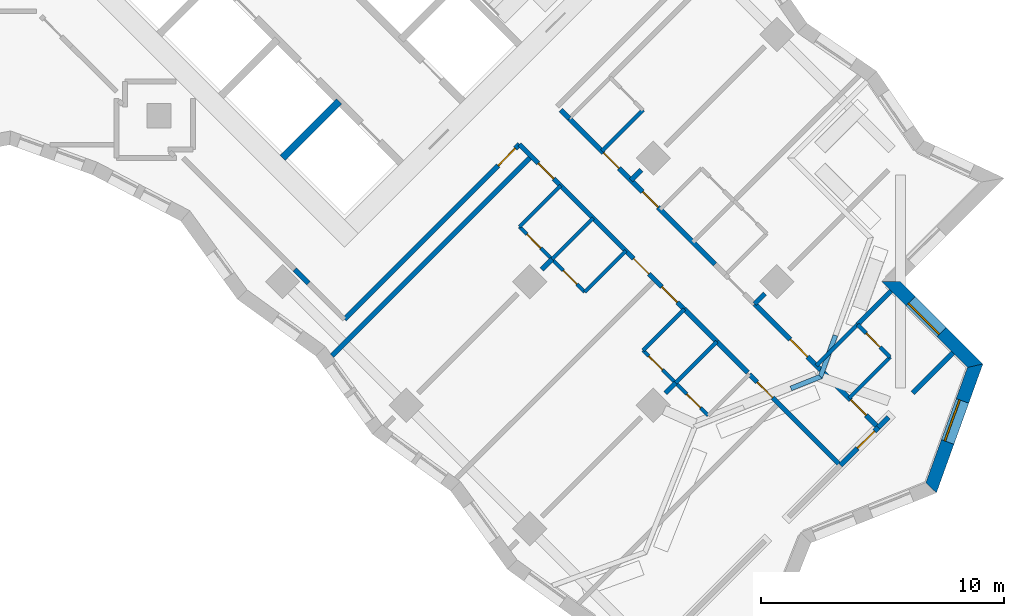
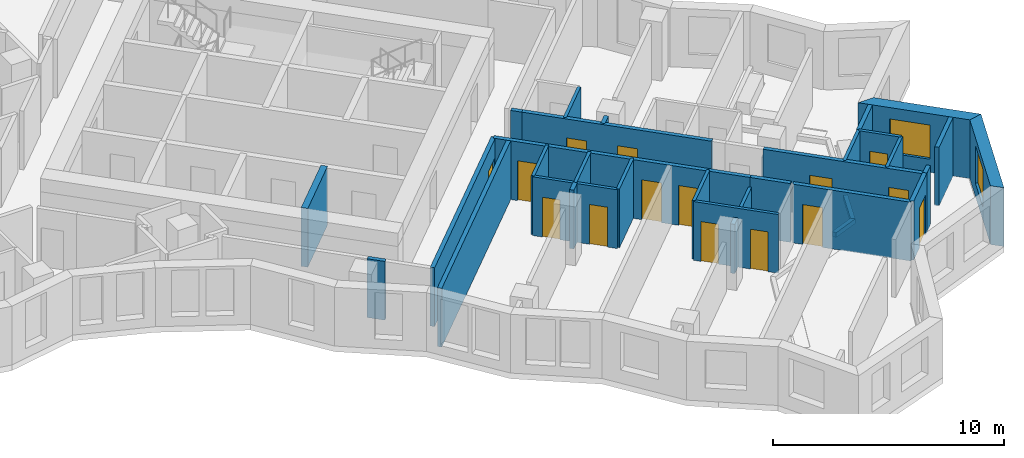
# One storey, part 9 of 14: 34 walls, 15 doors, 2 windows, 17 openings.
"""IFC4 building model written with IfcOpenShell, lengths in metres."""

from ifc_helpers import new_model, si_unit, direction, frame, frame_2d, origin, place, context, subcontext, project, spatial, polyline, rectangle, outline, extrude, material, layer, layer_set, type_object, element, fill, save


model = new_model("IFC4")

# Units and contexts
model_context = context("Model", 3, precision=1e-05, world=origin(), true_north=direction((0.0, 1.0)))
body_context = subcontext(model_context, "Body", "Model", "MODEL_VIEW")
ifc_project = project(units=[si_unit("LENGTHUNIT", "METRE"), si_unit("AREAUNIT", "SQUARE_METRE"), si_unit("VOLUMEUNIT", "CUBIC_METRE"), si_unit("PLANEANGLEUNIT", "RADIAN"), si_unit("MASSUNIT", "GRAM", prefix="KILO")], contexts=[model_context])

# Site, building, storey
site_placement = place(None, origin())
site = spatial("IfcSite", under=ifc_project, at=site_placement, CompositionType="ELEMENT")
building_placement = place(site_placement, origin())
building = spatial("IfcBuilding", under=site, at=building_placement, Name="Windrow Commons", CompositionType="ELEMENT")
storey_placement = place(building_placement, frame((0.0, 0.0, 118.6)))
storey = spatial("IfcBuildingStorey", under=building, at=storey_placement, Name="L32", CompositionType="ELEMENT", Elevation=118.6)

# Wall, opening, window
ifc_material_1 = material(Name="Brick masonry, red clay brick", Category="masonry")
ifc_layer_1 = layer(ifc_material_1, 0.55)
ifc_layer_set_1 = layer_set([ifc_layer_1], Name="Brick facade wall 550")
wall_type_1 = type_object("IfcWallType", Name="Brick facade wall 550", PredefinedType="SOLIDWALL", material=ifc_layer_set_1)
wall_1_placement = place(storey_placement, frame((111.0099, 27.8689, 0.0), z_axis=(0.0, 0.0, 1.0), x_axis=(0.339264672, 0.9406909601, 0.0)))
wall_1 = element("IfcWall", 1, at=wall_1_placement, inside=storey, type_object=wall_type_1, Name="Brick facade wall L32 4", PredefinedType="SOLIDWALL", context=body_context, shape_type="SweptSolid", body=[
    extrude(outline(polyline([(-0.1238, -0.275), (5.5195, -0.275), (5.1702, 0.275), (0.1238, 0.275), (-0.1238, -0.275)])), origin(), (0.0, 0.0, 1.0), 3.1),
])
opening_1_placement = place(wall_1_placement, frame((2.0033, 0.0, 0.7)))
opening_1 = element("IfcOpeningElement", 2, at=opening_1_placement, cuts=wall_1, Name="Opening W1", PredefinedType="OPENING", context=body_context, shape_type="SweptSolid", body=[
    extrude(rectangle(XDim=1.8, YDim=2.0, at=frame_2d((0.9, 1.0))), frame((0.0, 0.285, 0.0), z_axis=(0.0, -1.0, 0.0), x_axis=(1.0, 0.0, 0.0)), (0.0, 0.0, 1.0), 0.57),
])
ifc_material_2 = material(Name="Clear float glass in anodised aluminium frame", Category="aluminium")
window_type_1 = type_object("IfcWindowType", Name="Window W1 bedroom 1800x2000", PartitioningType="SINGLE_PANEL", PredefinedType="WINDOW", material=ifc_material_2)
window_1_placement = place(opening_1_placement, origin())
window_1 = element("IfcWindow", 3, at=window_1_placement, inside=storey, type_object=window_type_1, Name="Window L32 4.1", OverallHeight=2.0, OverallWidth=1.8, PartitioningType="SINGLE_PANEL", PredefinedType="WINDOW", context=body_context, shape_type="SweptSolid", body=[
    extrude(rectangle(XDim=1.8, YDim=2.0, at=frame_2d((0.9, 1.0))), frame((0.0, 0.155, 0.0), z_axis=(0.0, -1.0, 0.0), x_axis=(1.0, 0.0, 0.0)), (0.0, 0.0, 1.0), 0.06),
])
fill(opening_1, window_1)

wall_2_placement = place(storey_placement, frame((112.8232, 32.8967, 0.0), z_axis=(0.0, 0.0, 1.0), x_axis=(-0.7071067812, 0.7071067812, 0.0)))
wall_2 = element("IfcWall", 4, at=wall_2_placement, inside=storey, type_object=wall_type_1, Name="Brick facade wall L32 5", PredefinedType="SOLIDWALL", context=body_context, shape_type="SweptSolid", body=[
    extrude(outline(polyline([(-0.1746, -0.275), (4.6254, -0.275), (5.1754, 0.275), (0.1746, 0.275), (-0.1746, -0.275)])), origin(), (0.0, 0.0, 1.0), 3.1),
])
opening_2_placement = place(wall_2_placement, frame((1.9629, 0.0, 0.7)))
opening_2 = element("IfcOpeningElement", 5, at=opening_2_placement, cuts=wall_2, Name="Opening W1M", PredefinedType="OPENING", context=body_context, shape_type="SweptSolid", body=[
    extrude(rectangle(XDim=1.8, YDim=1.8, at=frame_2d((0.9, 0.9))), frame((0.0, 0.285, 0.0), z_axis=(0.0, -1.0, 0.0), x_axis=(1.0, 0.0, 0.0)), (0.0, 0.0, 1.0), 0.57),
])
ifc_material_3 = material(Name="Clear float glass in anodised aluminium frame", Category="aluminium")
window_type_2 = type_object("IfcWindowType", Name="Window W1M bedroom 1800x1800", PartitioningType="SINGLE_PANEL", PredefinedType="WINDOW", material=ifc_material_3)
window_2_placement = place(opening_2_placement, origin())
window_2 = element("IfcWindow", 6, at=window_2_placement, inside=storey, type_object=window_type_2, Name="Window L32 5.1", OverallHeight=1.8, OverallWidth=1.8, PartitioningType="SINGLE_PANEL", PredefinedType="WINDOW", context=body_context, shape_type="SweptSolid", body=[
    extrude(rectangle(XDim=1.8, YDim=1.8, at=frame_2d((0.9, 0.9))), frame((0.0, 0.155, 0.0), z_axis=(0.0, -1.0, 0.0), x_axis=(1.0, 0.0, 0.0)), (0.0, 0.0, 1.0), 0.06),
])
fill(opening_2, window_2)

# Wall, opening, door
ifc_material_4 = material(Name="Blockwork partition", Category="masonry")
ifc_layer_2 = layer(ifc_material_4, 0.2)
ifc_layer_set_2 = layer_set([ifc_layer_2], Name="IW-CORRIDOR-200")
wall_type_2 = type_object("IfcWallType", Name="IW-CORRIDOR-200", PredefinedType="PARTITIONING", material=ifc_layer_set_2)
wall_3_placement = place(storey_placement, frame((86.8355, 34.8065, 0.0), z_axis=(0.0, 0.0, 1.0), x_axis=(0.7071067812, 0.7071067812, 0.0)))
wall_3 = element("IfcWall", 7, at=wall_3_placement, inside=storey, type_object=wall_type_2, Name="W-L32-W011", PredefinedType="PARTITIONING", context=body_context, shape_type="SweptSolid", body=[
    extrude(rectangle(XDim=10.2007, YDim=0.2, at=frame_2d((5.1003, 0.0))), origin(), (0.0, 0.0, 1.0), 3.1),
])
opening_3_placement = place(wall_3_placement, frame((8.959, 0.0, 0.0)))
opening_3 = element("IfcOpeningElement", 8, at=opening_3_placement, cuts=wall_3, Name="Opening D310F", PredefinedType="OPENING", context=body_context, shape_type="SweptSolid", body=[
    extrude(rectangle(XDim=1.0, YDim=2.1, at=frame_2d((0.5, 1.05))), frame((0.0, 0.11, 0.0), z_axis=(0.0, -1.0, 0.0), x_axis=(1.0, 0.0, 0.0)), (0.0, 0.0, 1.0), 0.22),
])
ifc_material_5 = material(Name="Timber door leaf", Category="wood")
door_type_1 = type_object("IfcDoorType", Name="DT-AMENITY-1000", OperationType="SINGLE_SWING_LEFT", PredefinedType="DOOR", material=ifc_material_5)
door_1_placement = place(opening_3_placement, origin())
door_1 = element("IfcDoor", 9, at=door_1_placement, inside=storey, type_object=door_type_1, Name="D-L32-D056", OperationType="SINGLE_SWING_LEFT", OverallHeight=2.1, OverallWidth=1.0, PredefinedType="DOOR", context=body_context, shape_type="SweptSolid", body=[
    extrude(rectangle(XDim=1.0, YDim=2.1, at=frame_2d((0.5, 1.05))), frame((0.0, 0.025, 0.0), z_axis=(0.0, -1.0, 0.0), x_axis=(1.0, 0.0, 0.0)), (0.0, 0.0, 1.0), 0.05),
])
fill(opening_3, door_1)

# Wall, openings, doors
wall_4_placement = place(storey_placement, frame((94.0467, 42.0147, 0.0), z_axis=(0.0, 0.0, 1.0), x_axis=(0.7071067812, -0.7071067812, 0.0)))
wall_4 = element("IfcWall", 10, at=wall_4_placement, inside=storey, type_object=wall_type_2, Name="W-L32-W012", PredefinedType="PARTITIONING", context=body_context, shape_type="SweptSolid", body=[
    extrude(rectangle(XDim=9.5997, YDim=0.2, at=frame_2d((4.7999, 0.0))), origin(), (0.0, 0.0, 1.0), 3.1),
])
opening_4_placement = place(wall_4_placement, frame((1.099, 0.0, 0.0)))
opening_4 = element("IfcOpeningElement", 11, at=opening_4_placement, cuts=wall_4, Name="Opening D109S", PredefinedType="OPENING", context=body_context, shape_type="SweptSolid", body=[
    extrude(rectangle(XDim=0.9, YDim=2.1, at=frame_2d((0.45, 1.05))), frame((0.0, 0.11, 0.0), z_axis=(0.0, -1.0, 0.0), x_axis=(1.0, 0.0, 0.0)), (0.0, 0.0, 1.0), 0.22),
])
opening_5_placement = place(wall_4_placement, frame((6.649, 0.0, 0.0)))
opening_5 = element("IfcOpeningElement", 12, at=opening_5_placement, cuts=wall_4, Name="Opening D109S", PredefinedType="OPENING", context=body_context, shape_type="SweptSolid", body=[
    extrude(rectangle(XDim=0.9, YDim=2.1, at=frame_2d((0.45, 1.05))), frame((0.0, 0.11, 0.0), z_axis=(0.0, -1.0, 0.0), x_axis=(1.0, 0.0, 0.0)), (0.0, 0.0, 1.0), 0.22),
])
opening_6_placement = place(wall_4_placement, frame((8.3003, 0.0, 0.0)))
opening_6 = element("IfcOpeningElement", 13, at=opening_6_placement, cuts=wall_4, Name="Opening D109S", PredefinedType="OPENING", context=body_context, shape_type="SweptSolid", body=[
    extrude(rectangle(XDim=0.9, YDim=2.1, at=frame_2d((0.45, 1.05))), frame((0.0, 0.11, 0.0), z_axis=(0.0, -1.0, 0.0), x_axis=(1.0, 0.0, 0.0)), (0.0, 0.0, 1.0), 0.22),
])
ifc_material_6 = material(Name="Timber door leaf", Category="wood")
door_type_2 = type_object("IfcDoorType", Name="DT-BEDROOM-900", OperationType="SINGLE_SWING_LEFT", PredefinedType="DOOR", material=ifc_material_6)
door_2_placement = place(opening_4_placement, origin())
door_2 = element("IfcDoor", 14, at=door_2_placement, inside=storey, type_object=door_type_2, Name="D-L32-D057", OperationType="SINGLE_SWING_LEFT", OverallHeight=2.1, OverallWidth=0.9, PredefinedType="DOOR", context=body_context, shape_type="SweptSolid", body=[
    extrude(rectangle(XDim=0.9, YDim=2.1, at=frame_2d((0.45, 1.05))), frame((0.0, 0.025, 0.0), z_axis=(0.0, -1.0, 0.0), x_axis=(1.0, 0.0, 0.0)), (0.0, 0.0, 1.0), 0.05),
])
fill(opening_4, door_2)
door_3_placement = place(opening_5_placement, origin())
door_3 = element("IfcDoor", 15, at=door_3_placement, inside=storey, type_object=door_type_2, Name="D-L32-D059", OperationType="SINGLE_SWING_RIGHT", OverallHeight=2.1, OverallWidth=0.9, PredefinedType="DOOR", context=body_context, shape_type="SweptSolid", body=[
    extrude(rectangle(XDim=0.9, YDim=2.1, at=frame_2d((0.45, 1.05))), frame((0.0, 0.025, 0.0), z_axis=(0.0, -1.0, 0.0), x_axis=(1.0, 0.0, 0.0)), (0.0, 0.0, 1.0), 0.05),
])
fill(opening_5, door_3)
door_4_placement = place(opening_6_placement, origin())
door_4 = element("IfcDoor", 16, at=door_4_placement, inside=storey, type_object=door_type_2, Name="D-L32-D061", OperationType="SINGLE_SWING_LEFT", OverallHeight=2.1, OverallWidth=0.9, PredefinedType="DOOR", context=body_context, shape_type="SweptSolid", body=[
    extrude(rectangle(XDim=0.9, YDim=2.1, at=frame_2d((0.45, 1.05))), frame((0.0, 0.025, 0.0), z_axis=(0.0, -1.0, 0.0), x_axis=(1.0, 0.0, 0.0)), (0.0, 0.0, 1.0), 0.05),
])
fill(opening_6, door_4)

wall_5_placement = place(storey_placement, frame((96.1034, 43.0834, 0.0), z_axis=(0.0, 0.0, 1.0), x_axis=(0.7071067812, -0.7071067812, 0.0)))
wall_5 = element("IfcWall", 17, at=wall_5_placement, inside=storey, type_object=wall_type_2, Name="W-L32-W015", PredefinedType="PARTITIONING", context=body_context, shape_type="SweptSolid", body=[
    extrude(rectangle(XDim=8.4909, YDim=0.2, at=frame_2d((4.2454, 0.0))), origin(), (0.0, 0.0, 1.0), 3.1),
])
opening_7_placement = place(wall_5_placement, frame((1.9952, 0.0, 0.0)))
opening_7 = element("IfcOpeningElement", 18, at=opening_7_placement, cuts=wall_5, Name="Opening D109S", PredefinedType="OPENING", context=body_context, shape_type="SweptSolid", body=[
    extrude(rectangle(XDim=0.9, YDim=2.1, at=frame_2d((0.45, 1.05))), frame((0.0, 0.11, 0.0), z_axis=(0.0, -1.0, 0.0), x_axis=(1.0, 0.0, 0.0)), (0.0, 0.0, 1.0), 0.22),
])
opening_8_placement = place(wall_5_placement, frame((4.2704, 0.0, 0.0)))
opening_8 = element("IfcOpeningElement", 19, at=opening_8_placement, cuts=wall_5, Name="Opening D109S", PredefinedType="OPENING", context=body_context, shape_type="SweptSolid", body=[
    extrude(rectangle(XDim=0.9, YDim=2.1, at=frame_2d((0.45, 1.05))), frame((0.0, 0.11, 0.0), z_axis=(0.0, -1.0, 0.0), x_axis=(1.0, 0.0, 0.0)), (0.0, 0.0, 1.0), 0.22),
])
door_5_placement = place(opening_7_placement, origin())
door_5 = element("IfcDoor", 20, at=door_5_placement, inside=storey, type_object=door_type_2, Name="D-L32-D046", OperationType="SINGLE_SWING_RIGHT", OverallHeight=2.1, OverallWidth=0.9, PredefinedType="DOOR", context=body_context, shape_type="SweptSolid", body=[
    extrude(rectangle(XDim=0.9, YDim=2.1, at=frame_2d((0.45, 1.05))), frame((0.0, 0.025, 0.0), z_axis=(0.0, -1.0, 0.0), x_axis=(1.0, 0.0, 0.0)), (0.0, 0.0, 1.0), 0.05),
])
fill(opening_7, door_5)
door_6_placement = place(opening_8_placement, origin())
door_6 = element("IfcDoor", 21, at=door_6_placement, inside=storey, type_object=door_type_2, Name="D-L32-D054", OperationType="SINGLE_SWING_LEFT", OverallHeight=2.1, OverallWidth=0.9, PredefinedType="DOOR", context=body_context, shape_type="SweptSolid", body=[
    extrude(rectangle(XDim=0.9, YDim=2.1, at=frame_2d((0.45, 1.05))), frame((0.0, 0.025, 0.0), z_axis=(0.0, -1.0, 0.0), x_axis=(1.0, 0.0, 0.0)), (0.0, 0.0, 1.0), 0.05),
])
fill(opening_8, door_6)

wall_6_placement = place(storey_placement, frame((108.8314, 30.3554, 0.0), z_axis=(0.0, 0.0, 1.0), x_axis=(-0.7073012053, 0.7069123036, 0.0)))
wall_6 = element("IfcWall", 22, at=wall_6_placement, inside=storey, type_object=wall_type_2, Name="W-L32-W019", PredefinedType="PARTITIONING", context=body_context, shape_type="SweptSolid", body=[
    extrude(rectangle(XDim=7.1998, YDim=0.2, at=frame_2d((3.5999, 0.0))), origin(), (0.0, 0.0, 1.0), 3.1),
])
opening_9_placement = place(wall_6_placement, frame((4.1247, 0.0, 0.0)))
opening_9 = element("IfcOpeningElement", 23, at=opening_9_placement, cuts=wall_6, Name="Opening D310F", PredefinedType="OPENING", context=body_context, shape_type="SweptSolid", body=[
    extrude(rectangle(XDim=1.0, YDim=2.1, at=frame_2d((0.5, 1.05))), frame((0.0, 0.11, 0.0), z_axis=(0.0, -1.0, 0.0), x_axis=(1.0, 0.0, 0.0)), (0.0, 0.0, 1.0), 0.22),
])
opening_10_placement = place(wall_6_placement, frame((0.7053, 0.0, 0.0)))
opening_10 = element("IfcOpeningElement", 24, at=opening_10_placement, cuts=wall_6, Name="Opening D109S", PredefinedType="OPENING", context=body_context, shape_type="SweptSolid", body=[
    extrude(rectangle(XDim=0.9, YDim=2.1, at=frame_2d((0.45, 1.05))), frame((0.0, 0.11, 0.0), z_axis=(0.0, -1.0, 0.0), x_axis=(1.0, 0.0, 0.0)), (0.0, 0.0, 1.0), 0.22),
])
door_7_placement = place(opening_9_placement, origin())
door_7 = element("IfcDoor", 25, at=door_7_placement, inside=storey, type_object=door_type_1, Name="D-L32-D050", OperationType="SINGLE_SWING_LEFT", OverallHeight=2.1, OverallWidth=1.0, PredefinedType="DOOR", context=body_context, shape_type="SweptSolid", body=[
    extrude(rectangle(XDim=1.0, YDim=2.1, at=frame_2d((0.5, 1.05))), frame((0.0, 0.025, 0.0), z_axis=(0.0, -1.0, 0.0), x_axis=(1.0, 0.0, 0.0)), (0.0, 0.0, 1.0), 0.05),
])
fill(opening_9, door_7)
door_8_placement = place(opening_10_placement, origin())
door_8 = element("IfcDoor", 26, at=door_8_placement, inside=storey, type_object=door_type_2, Name="D-L32-D065", OperationType="SINGLE_SWING_RIGHT", OverallHeight=2.1, OverallWidth=0.9, PredefinedType="DOOR", context=body_context, shape_type="SweptSolid", body=[
    extrude(rectangle(XDim=0.9, YDim=2.1, at=frame_2d((0.45, 1.05))), frame((0.0, 0.025, 0.0), z_axis=(0.0, -1.0, 0.0), x_axis=(1.0, 0.0, 0.0)), (0.0, 0.0, 1.0), 0.05),
])
fill(opening_10, door_8)

# Wall, opening, door
wall_7_placement = place(storey_placement, frame((103.5207, 32.5407, 0.0), z_axis=(0.0, 0.0, 1.0), x_axis=(0.7071067812, -0.7071067812, 0.0)))
wall_7 = element("IfcWall", 27, at=wall_7_placement, inside=storey, type_object=wall_type_2, Name="W-L32-W038", PredefinedType="PARTITIONING", context=body_context, shape_type="SweptSolid", body=[
    extrude(rectangle(XDim=5.3005, YDim=0.2, at=frame_2d((2.6503, 0.0))), origin(), (0.0, 0.0, 1.0), 3.1),
])
opening_11_placement = place(wall_7_placement, frame((0.4507, 0.0, 0.0)))
opening_11 = element("IfcOpeningElement", 28, at=opening_11_placement, cuts=wall_7, Name="Opening D109S", PredefinedType="OPENING", context=body_context, shape_type="SweptSolid", body=[
    extrude(rectangle(XDim=0.9, YDim=2.1, at=frame_2d((0.45, 1.05))), frame((0.0, 0.11, 0.0), z_axis=(0.0, -1.0, 0.0), x_axis=(1.0, 0.0, 0.0)), (0.0, 0.0, 1.0), 0.22),
])
door_9_placement = place(opening_11_placement, origin())
door_9 = element("IfcDoor", 29, at=door_9_placement, inside=storey, type_object=door_type_2, Name="D-L32-D063", OperationType="SINGLE_SWING_RIGHT", OverallHeight=2.1, OverallWidth=0.9, PredefinedType="DOOR", context=body_context, shape_type="SweptSolid", body=[
    extrude(rectangle(XDim=0.9, YDim=2.1, at=frame_2d((0.45, 1.05))), frame((0.0, 0.025, 0.0), z_axis=(0.0, -1.0, 0.0), x_axis=(1.0, 0.0, 0.0)), (0.0, 0.0, 1.0), 0.05),
])
fill(opening_11, door_9)

wall_8_placement = place(storey_placement, frame((107.2714, 28.7966, 0.0), z_axis=(0.0, 0.0, 1.0), x_axis=(0.7071067812, 0.7071067812, 0.0)))
wall_8 = element("IfcWall", 30, at=wall_8_placement, inside=storey, type_object=wall_type_2, Name="W-L32-W128", PredefinedType="PARTITIONING", context=body_context, shape_type="SweptSolid", body=[
    extrude(rectangle(XDim=2.2005, YDim=0.2, at=frame_2d((1.1002, 0.0))), origin(), (0.0, 0.0, 1.0), 3.1),
])
opening_12_placement = place(wall_8_placement, frame((0.9866, 0.0, 0.0)))
opening_12 = element("IfcOpeningElement", 31, at=opening_12_placement, cuts=wall_8, Name="Opening D310F", PredefinedType="OPENING", context=body_context, shape_type="SweptSolid", body=[
    extrude(rectangle(XDim=1.0, YDim=2.1, at=frame_2d((0.5, 1.05))), frame((0.0, 0.11, 0.0), z_axis=(0.0, -1.0, 0.0), x_axis=(1.0, 0.0, 0.0)), (0.0, 0.0, 1.0), 0.22),
])
door_10_placement = place(opening_12_placement, origin())
door_10 = element("IfcDoor", 32, at=door_10_placement, inside=storey, type_object=door_type_1, Name="D-L32-D067", OperationType="SINGLE_SWING_RIGHT", OverallHeight=2.1, OverallWidth=1.0, PredefinedType="DOOR", context=body_context, shape_type="SweptSolid", body=[
    extrude(rectangle(XDim=1.0, YDim=2.1, at=frame_2d((0.5, 1.05))), frame((0.0, 0.025, 0.0), z_axis=(0.0, -1.0, 0.0), x_axis=(1.0, 0.0, 0.0)), (0.0, 0.0, 1.0), 0.05),
])
fill(opening_12, door_10)

# Walls
wall_9_placement = place(storey_placement, frame((100.8386, 35.2306, 0.0), z_axis=(0.0, 0.0, 1.0), x_axis=(0.7065800724, -0.7076330979, 0.0)))
element("IfcWall", 33, at=wall_9_placement, inside=storey, type_object=wall_type_2, Name="W-L32-W151", PredefinedType="PARTITIONING", context=body_context, shape_type="SweptSolid", body=[
    extrude(rectangle(XDim=1.8993, YDim=0.2, at=frame_2d((0.9496, 0.0))), origin(), (0.0, 0.0, 1.0), 3.1),
])
wall_10_placement = place(storey_placement, frame((102.1834, 33.8894, 0.0), z_axis=(0.0, 0.0, 1.0), x_axis=(0.7076620277, -0.7065510983, 0.0)))
element("IfcWall", 34, at=wall_10_placement, inside=storey, type_object=wall_type_2, Name="W-L32-W155", PredefinedType="PARTITIONING", context=body_context, shape_type="SweptSolid", body=[
    extrude(rectangle(XDim=1.8003, YDim=0.2, at=frame_2d((0.9002, 0.0))), origin(), (0.0, 0.0, 1.0), 3.1),
])
wall_11_placement = place(storey_placement, frame((84.7953, 36.8553, 0.0), z_axis=(0.0, 0.0, 1.0), x_axis=(0.7071067812, -0.7071067812, 0.0)))
element("IfcWall", 35, at=wall_11_placement, inside=storey, type_object=wall_type_2, Name="W-L32-W179", PredefinedType="PARTITIONING", context=body_context, shape_type="SweptSolid", body=[
    extrude(rectangle(XDim=0.792, YDim=0.2, at=frame_2d((0.396, 0.0))), origin(), (0.0, 0.0, 1.0), 3.1),
])
wall_12_placement = place(storey_placement, frame((95.747, 43.433, 0.0), z_axis=(0.0, 0.0, 1.0), x_axis=(0.7091070712, -0.7051008166, 0.0)))
element("IfcWall", 36, at=wall_12_placement, inside=storey, type_object=wall_type_2, Name="W-L32-W201", PredefinedType="PARTITIONING", context=body_context, shape_type="SweptSolid", body=[
    extrude(rectangle(XDim=0.4992, YDim=0.2, at=frame_2d((0.2496, 0.0))), origin(), (0.0, 0.0, 1.0), 3.1),
])

# Wall, openings, doors
ifc_material_7 = material(Name="Blockwork partition", Category="masonry")
ifc_layer_3 = layer(ifc_material_7, 0.15)
ifc_layer_set_3 = layer_set([ifc_layer_3], Name="IW-ENSUITE-150")
wall_type_3 = type_object("IfcWallType", Name="IW-ENSUITE-150", PredefinedType="PARTITIONING", material=ifc_layer_set_3)
wall_13_placement = place(storey_placement, frame((99.1367, 33.5307, 0.0), z_axis=(0.0, 0.0, 1.0), x_axis=(0.7071067812, -0.7071067812, 0.0)))
wall_13 = element("IfcWall", 37, at=wall_13_placement, inside=storey, type_object=wall_type_3, Name="W-L32-W051", PredefinedType="PARTITIONING", context=body_context, shape_type="SweptSolid", body=[
    extrude(rectangle(XDim=3.8014, YDim=0.15, at=frame_2d((1.9007, 0.0))), origin(), (0.0, 0.0, 1.0), 3.1),
])
opening_13_placement = place(wall_13_placement, frame((0.3393, 0.0, 0.0)))
opening_13 = element("IfcOpeningElement", 38, at=opening_13_placement, cuts=wall_13, Name="Opening D208N", PredefinedType="OPENING", context=body_context, shape_type="SweptSolid", body=[
    extrude(rectangle(XDim=0.8, YDim=2.1, at=frame_2d((0.4, 1.05))), frame((0.0, 0.085, 0.0), z_axis=(0.0, -1.0, 0.0), x_axis=(1.0, 0.0, 0.0)), (0.0, 0.0, 1.0), 0.17),
])
opening_14_placement = place(wall_13_placement, frame((2.5531, 0.0, 0.0)))
opening_14 = element("IfcOpeningElement", 39, at=opening_14_placement, cuts=wall_13, Name="Opening D208N", PredefinedType="OPENING", context=body_context, shape_type="SweptSolid", body=[
    extrude(rectangle(XDim=0.8, YDim=2.1, at=frame_2d((0.4, 1.05))), frame((0.0, 0.085, 0.0), z_axis=(0.0, -1.0, 0.0), x_axis=(1.0, 0.0, 0.0)), (0.0, 0.0, 1.0), 0.17),
])
ifc_material_8 = material(Name="Timber door leaf", Category="wood")
door_type_3 = type_object("IfcDoorType", Name="DT-ENSUITE-800", OperationType="SINGLE_SWING_LEFT", PredefinedType="DOOR", material=ifc_material_8)
door_11_placement = place(opening_13_placement, origin())
door_11 = element("IfcDoor", 40, at=door_11_placement, inside=storey, type_object=door_type_3, Name="D-L32-D062", OperationType="SINGLE_SWING_RIGHT", OverallHeight=2.1, OverallWidth=0.8, PredefinedType="DOOR", context=body_context, shape_type="SweptSolid", body=[
    extrude(rectangle(XDim=0.8, YDim=2.1, at=frame_2d((0.4, 1.05))), frame((0.0, 0.025, 0.0), z_axis=(0.0, -1.0, 0.0), x_axis=(1.0, 0.0, 0.0)), (0.0, 0.0, 1.0), 0.05),
])
fill(opening_13, door_11)
door_12_placement = place(opening_14_placement, origin())
door_12 = element("IfcDoor", 41, at=door_12_placement, inside=storey, type_object=door_type_3, Name="D-L32-D064", OperationType="SINGLE_SWING_RIGHT", OverallHeight=2.1, OverallWidth=0.8, PredefinedType="DOOR", context=body_context, shape_type="SweptSolid", body=[
    extrude(rectangle(XDim=0.8, YDim=2.1, at=frame_2d((0.4, 1.05))), frame((0.0, 0.025, 0.0), z_axis=(0.0, -1.0, 0.0), x_axis=(1.0, 0.0, 0.0)), (0.0, 0.0, 1.0), 0.05),
])
fill(opening_14, door_12)

wall_14_placement = place(storey_placement, frame((94.0467, 38.6207, 0.0), z_axis=(0.0, 0.0, 1.0), x_axis=(0.7071067812, -0.7071067812, 0.0)))
wall_14 = element("IfcWall", 42, at=wall_14_placement, inside=storey, type_object=wall_type_3, Name="W-L32-W055", PredefinedType="PARTITIONING", context=body_context, shape_type="SweptSolid", body=[
    extrude(rectangle(XDim=3.7986, YDim=0.15, at=frame_2d((1.8993, 0.0))), origin(), (0.0, 0.0, 1.0), 3.1),
])
opening_15_placement = place(wall_14_placement, frame((0.444, 0.0, 0.0)))
opening_15 = element("IfcOpeningElement", 43, at=opening_15_placement, cuts=wall_14, Name="Opening D208N", PredefinedType="OPENING", context=body_context, shape_type="SweptSolid", body=[
    extrude(rectangle(XDim=0.8, YDim=2.1, at=frame_2d((0.4, 1.05))), frame((0.0, 0.085, 0.0), z_axis=(0.0, -1.0, 0.0), x_axis=(1.0, 0.0, 0.0)), (0.0, 0.0, 1.0), 0.17),
])
opening_16_placement = place(wall_14_placement, frame((2.5515, 0.0, 0.0)))
opening_16 = element("IfcOpeningElement", 44, at=opening_16_placement, cuts=wall_14, Name="Opening D208N", PredefinedType="OPENING", context=body_context, shape_type="SweptSolid", body=[
    extrude(rectangle(XDim=0.8, YDim=2.1, at=frame_2d((0.4, 1.05))), frame((0.0, 0.085, 0.0), z_axis=(0.0, -1.0, 0.0), x_axis=(1.0, 0.0, 0.0)), (0.0, 0.0, 1.0), 0.17),
])
door_13_placement = place(opening_15_placement, origin())
door_13 = element("IfcDoor", 45, at=door_13_placement, inside=storey, type_object=door_type_3, Name="D-L32-D058", OperationType="SINGLE_SWING_RIGHT", OverallHeight=2.1, OverallWidth=0.8, PredefinedType="DOOR", context=body_context, shape_type="SweptSolid", body=[
    extrude(rectangle(XDim=0.8, YDim=2.1, at=frame_2d((0.4, 1.05))), frame((0.0, 0.025, 0.0), z_axis=(0.0, -1.0, 0.0), x_axis=(1.0, 0.0, 0.0)), (0.0, 0.0, 1.0), 0.05),
])
fill(opening_15, door_13)
door_14_placement = place(opening_16_placement, origin())
door_14 = element("IfcDoor", 46, at=door_14_placement, inside=storey, type_object=door_type_3, Name="D-L32-D060", OperationType="SINGLE_SWING_RIGHT", OverallHeight=2.1, OverallWidth=0.8, PredefinedType="DOOR", context=body_context, shape_type="SweptSolid", body=[
    extrude(rectangle(XDim=0.8, YDim=2.1, at=frame_2d((0.4, 1.05))), frame((0.0, 0.025, 0.0), z_axis=(0.0, -1.0, 0.0), x_axis=(1.0, 0.0, 0.0)), (0.0, 0.0, 1.0), 0.05),
])
fill(opening_16, door_14)

# Walls
for number, where, z_axis, x_axis, name in (
    (47, (95.3887, 37.2853, 0.0), (0.0, 0.0, 1.0), (0.7075233388, 0.706689978, 0.0), "W-L32-W114"),
    (48, (94.0519, 38.6221, 0.0), (0.0, 0.0, 1.0), (0.706689978, 0.7075233388, 0.0), "W-L32-W115"),
    (49, (96.7393, 35.9347, 0.0), (0.0, 0.0, 1.0), (0.7075233388, 0.706689978, 0.0), "W-L32-W116"),
    (50, (99.1434, 33.5306, 0.0), (0.0, 0.0, 1.0), (0.7075233388, 0.706689978, 0.0), "W-L32-W117"),
):
    element("IfcWall", number, at=place(storey_placement, frame(where, z_axis=z_axis, x_axis=x_axis)), inside=storey, type_object=wall_type_3, Name=name, PredefinedType="PARTITIONING", context=body_context, shape_type="SweptSolid", body=[
        extrude(rectangle(XDim=2.3999, YDim=0.15, at=frame_2d((1.2, 0.0))), origin(), (0.0, 0.0, 1.0), 3.1),
    ])
wall_15_placement = place(storey_placement, frame((97.4429, 41.7371, 0.0), z_axis=(0.0, 0.0, 1.0), x_axis=(0.7071067812, 0.7071067812, 0.0)))
element("IfcWall", 51, at=wall_15_placement, inside=storey, type_object=wall_type_3, Name="W-L32-W119", PredefinedType="PARTITIONING", context=body_context, shape_type="SweptSolid", body=[
    extrude(rectangle(XDim=2.3985, YDim=0.15, at=frame_2d((1.1992, 0.0))), origin(), (0.0, 0.0, 1.0), 3.1),
])
wall_16_placement = place(storey_placement, frame((100.4832, 32.1908, 0.0), z_axis=(0.0, 0.0, 1.0), x_axis=(0.7071067812, 0.7071067812, 0.0)))
element("IfcWall", 52, at=wall_16_placement, inside=storey, type_object=wall_type_3, Name="W-L32-W120", PredefinedType="PARTITIONING", context=body_context, shape_type="SweptSolid", body=[
    extrude(rectangle(XDim=2.3985, YDim=0.15, at=frame_2d((1.1992, 0.0))), origin(), (0.0, 0.0, 1.0), 2.6),
])
for number, where, z_axis, x_axis, name in (
    (53, (106.2828, 32.8992, 0.0), (0.0, 0.0, 1.0), (0.7071067812, 0.7071067812, 0.0), "W-L32-W122"),
    (54, (107.6253, 31.5547, 0.0), (0.0, 0.0, 1.0), (0.7071067812, 0.7071067812, 0.0), "W-L32-W123"),
):
    element("IfcWall", number, at=place(storey_placement, frame(where, z_axis=z_axis, x_axis=x_axis)), inside=storey, type_object=wall_type_3, Name=name, PredefinedType="PARTITIONING", context=body_context, shape_type="SweptSolid", body=[
        extrude(rectangle(XDim=2.3985, YDim=0.15, at=frame_2d((1.1992, 0.0))), origin(), (0.0, 0.0, 1.0), 3.1),
    ])

# Wall, opening, door
wall_17_placement = place(storey_placement, frame((107.9774, 34.5914, 0.0), z_axis=(0.0, 0.0, 1.0), x_axis=(0.7065800724, -0.7076330979, 0.0)))
wall_17 = element("IfcWall", 55, at=wall_17_placement, inside=storey, type_object=wall_type_3, Name="W-L32-W152", PredefinedType="PARTITIONING", context=body_context, shape_type="SweptSolid", body=[
    extrude(rectangle(XDim=1.8993, YDim=0.15, at=frame_2d((0.9496, 0.0))), origin(), (0.0, 0.0, 1.0), 3.1),
])
opening_17_placement = place(wall_17_placement, frame((0.5082, 0.0, 0.0)))
opening_17 = element("IfcOpeningElement", 56, at=opening_17_placement, cuts=wall_17, Name="Opening D208N", PredefinedType="OPENING", context=body_context, shape_type="SweptSolid", body=[
    extrude(rectangle(XDim=0.8, YDim=2.1, at=frame_2d((0.4, 1.05))), frame((0.0, 0.085, 0.0), z_axis=(0.0, -1.0, 0.0), x_axis=(1.0, 0.0, 0.0)), (0.0, 0.0, 1.0), 0.17),
])
door_15_placement = place(opening_17_placement, origin())
door_15 = element("IfcDoor", 57, at=door_15_placement, inside=storey, type_object=door_type_3, Name="D-L32-D066", OperationType="SINGLE_SWING_RIGHT", OverallHeight=2.1, OverallWidth=0.8, PredefinedType="DOOR", context=body_context, shape_type="SweptSolid", body=[
    extrude(rectangle(XDim=0.8, YDim=2.1, at=frame_2d((0.4, 1.05))), frame((0.0, 0.025, 0.0), z_axis=(0.0, -1.0, 0.0), x_axis=(1.0, 0.0, 0.0)), (0.0, 0.0, 1.0), 0.05),
])
fill(opening_17, door_15)

# Walls
ifc_material_9 = material(Name="Blockwork partition", Category="masonry")
ifc_layer_4 = layer(ifc_material_9, 0.2)
ifc_layer_set_4 = layer_set([ifc_layer_4], Name="IW-PARTY-200")
wall_type_4 = type_object("IfcWallType", Name="IW-PARTY-200", PredefinedType="PARTITIONING", material=ifc_layer_set_4)
wall_18_placement = place(storey_placement, frame((86.329, 33.3102, 0.0), z_axis=(0.0, 0.0, 1.0), x_axis=(0.7071067812, 0.7071067812, 0.0)))
element("IfcWall", 58, at=wall_18_placement, inside=storey, type_object=wall_type_4, Name="W-L32-W009", PredefinedType="PARTITIONING", context=body_context, shape_type="SweptSolid", body=[
    extrude(rectangle(XDim=11.6169, YDim=0.2, at=frame_2d((5.8084, 0.0))), origin(), (0.0, 0.0, 1.0), 3.1),
])
wall_19_placement = place(storey_placement, frame((110.2515, 31.7666, 0.0), z_axis=(0.0, 0.0, 1.0), x_axis=(0.7066584143, 0.7075548639, 0.0)))
element("IfcWall", 59, at=wall_19_placement, inside=storey, type_object=wall_type_4, Name="W-L32-W126", PredefinedType="PARTITIONING", context=body_context, shape_type="SweptSolid", body=[
    extrude(rectangle(XDim=2.3426, YDim=0.2, at=frame_2d((1.1713, 0.0))), origin(), (0.0, 0.0, 1.0), 3.1),
])
wall_20_placement = place(storey_placement, frame((107.9788, 34.5952, 0.0), z_axis=(0.0, 0.0, 1.0), x_axis=(0.7071067812, 0.7071067812, 0.0)))
element("IfcWall", 60, at=wall_20_placement, inside=storey, type_object=wall_type_4, Name="W-L32-W150", PredefinedType="PARTITIONING", context=body_context, shape_type="SweptSolid", body=[
    extrude(rectangle(XDim=1.9495, YDim=0.2, at=frame_2d((0.9748, 0.0))), origin(), (0.0, 0.0, 1.0), 3.1),
])
for number, where, z_axis, x_axis, name in (
    (61, (94.972, 36.862, 0.0), (0.0, 0.0, 1.0), (0.7071067812, 0.7071067812, 0.0), "W-L32-W190"),
    (62, (98.645, 40.535, 0.0), (0.0, 0.0, 1.0), (0.7071067812, 0.7071067812, 0.0), "W-L32-W191"),
):
    element("IfcWall", number, at=place(storey_placement, frame(where, z_axis=z_axis, x_axis=x_axis)), inside=storey, type_object=wall_type_4, Name=name, PredefinedType="PARTITIONING", context=body_context, shape_type="SweptSolid", body=[
        extrude(rectangle(XDim=0.594, YDim=0.2, at=frame_2d((0.297, 0.0))), origin(), (0.0, 0.0, 1.0), 3.1),
    ])
for number, where, z_axis, x_axis, name in (
    (63, (100.0632, 31.7708, 0.0), (0.0, 0.0, 1.0), (0.7071067812, 0.7071067812, 0.0), "W-L32-W192"),
    (64, (103.7352, 35.4428, 0.0), (0.0, 0.0, 1.0), (0.7071067812, 0.7071067812, 0.0), "W-L32-W193"),
):
    element("IfcWall", number, at=place(storey_placement, frame(where, z_axis=z_axis, x_axis=x_axis)), inside=storey, type_object=wall_type_4, Name=name, PredefinedType="PARTITIONING", context=body_context, shape_type="SweptSolid", body=[
        extrude(rectangle(XDim=0.594, YDim=0.2, at=frame_2d((0.297, 0.0))), origin(), (0.0, 0.0, 1.0), 2.6),
    ])
wall_21_placement = place(storey_placement, frame((108.8309, 30.3491, 0.0), z_axis=(0.0, 0.0, 1.0), x_axis=(0.7087923682, 0.7054171665, 0.0)))
element("IfcWall", 65, at=wall_21_placement, inside=storey, type_object=wall_type_4, Name="W-L32-W196", PredefinedType="PARTITIONING", context=body_context, shape_type="SweptSolid", body=[
    extrude(rectangle(XDim=0.5926, YDim=0.2, at=frame_2d((0.2963, 0.0))), origin(), (0.0, 0.0, 1.0), 3.1),
])
ifc_material_10 = material(Name="Concrete C50/60", Category="concrete")
ifc_layer_5 = layer(ifc_material_10, 0.3)
ifc_layer_set_5 = layer_set([ifc_layer_5], Name="RC SHAFT WALL 300 C50/60")
wall_type_5 = type_object("IfcWallType", Name="RC SHAFT WALL 300 C50/60", PredefinedType="SOLIDWALL", material=ifc_layer_set_5)
wall_22_placement = place(storey_placement, frame((84.2912, 41.453, 0.0), z_axis=(0.0, 0.0, 1.0), x_axis=(0.7071067812, 0.7071067812, 0.0)))
element("IfcWall", 66, at=wall_22_placement, inside=storey, type_object=wall_type_5, Name="Core B wall shaft-S3", PredefinedType="SOLIDWALL", context=body_context, shape_type="SweptSolid", body=[
    extrude(rectangle(XDim=3.2999, YDim=0.3, at=frame_2d((1.65, 0.0))), origin(), (0.0, 0.0, 1.0), 3.1),
])
ifc_material_11 = material(Name="Brick masonry, red clay brick", Category="masonry")
ifc_layer_6 = layer(ifc_material_11, 0.2)
ifc_layer_set_6 = layer_set([ifc_layer_6], Name="Terrace edge parapet 200")
wall_type_6 = type_object("IfcWallType", Name="Terrace edge parapet 200", PredefinedType="PARAPET", material=ifc_layer_set_6)
wall_23_placement = place(storey_placement, frame((107.0646, 34.1474, 0.0), z_axis=(0.0, 0.0, 1.0), x_axis=(-0.3392614778, -0.940692112, 0.0)))
element("IfcWall", 67, at=wall_23_placement, inside=storey, type_object=wall_type_6, Name="Terrace parapet TR-L32-1.1.4", PredefinedType="PARAPET", context=body_context, shape_type="SweptSolid", body=[
    extrude(outline(polyline([(0.0, -0.1), (1.7645, -0.1), (1.8545, 0.1), (0.0, 0.1), (0.0, -0.1)])), origin(), (0.0, 0.0, 1.0), 0.25),
])
wall_24_placement = place(storey_placement, frame((106.4507, 32.4452, 0.0), z_axis=(0.0, 0.0, 1.0), x_axis=(-0.9291537049, -0.369693647, 0.0)))
element("IfcWall", 68, at=wall_24_placement, inside=storey, type_object=wall_type_6, Name="Terrace parapet TR-L32-1.1.5", PredefinedType="PARAPET", context=body_context, shape_type="SweptSolid", body=[
    extrude(outline(polyline([(0.045, -0.1), (1.3111, -0.1), (1.3111, 0.1), (-0.045, 0.1), (0.045, -0.1)])), origin(), (0.0, 0.0, 1.0), 0.25),
])

save(model, "model.ifc")
